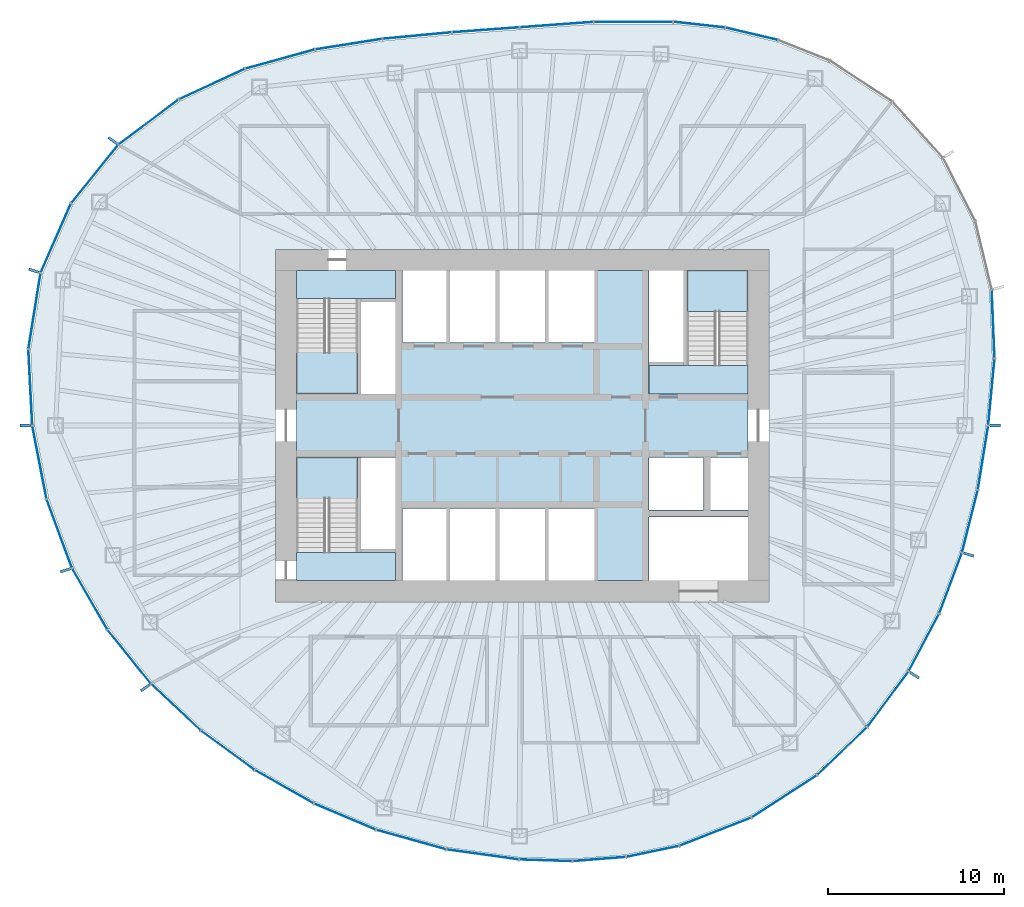
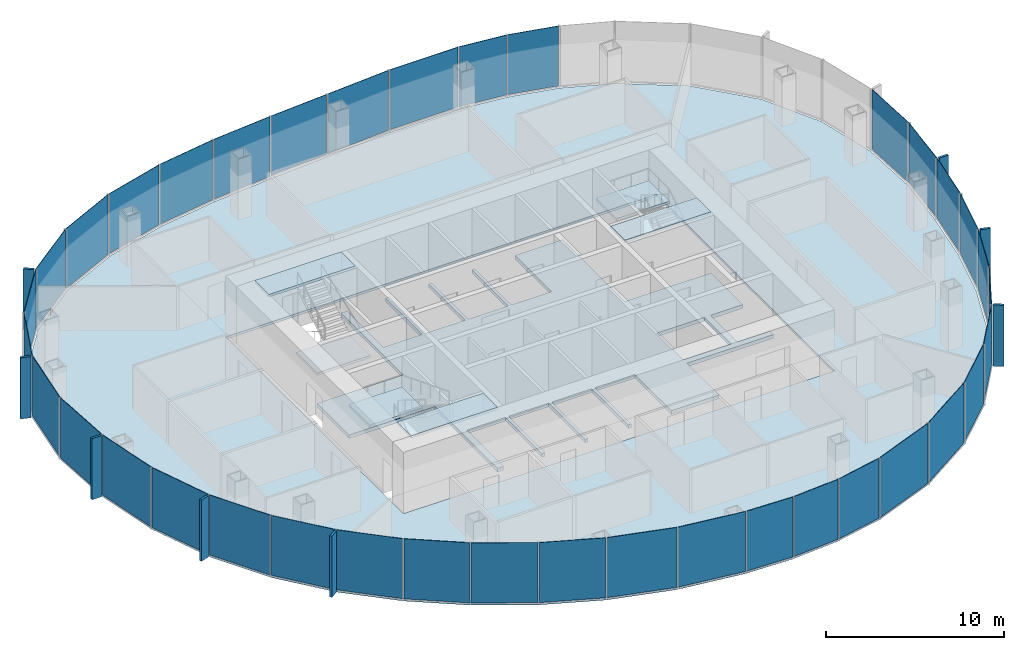
# One storey, part 7 of 11: 45 plates, 8 slabs, 21 elements without a shape of their own.
"""IFC4 building model written with IfcOpenShell, lengths in metres."""

from ifc_helpers import new_model, si_unit, direction, frame, origin, origin_2d, place, context, subcontext, project, spatial, polyline, rectangle, outline, extrude, material, layer, layer_set, type_object, element, aggregate, save


model = new_model("IFC4")

# Units and contexts
model_context = context("Model", 3, precision=1e-05, world=origin(), true_north=direction((0.0, 1.0)))
body_context = subcontext(model_context, "Body", "Model", "MODEL_VIEW")
ifc_project = project(units=[si_unit("LENGTHUNIT", "METRE"), si_unit("AREAUNIT", "SQUARE_METRE"), si_unit("VOLUMEUNIT", "CUBIC_METRE"), si_unit("PLANEANGLEUNIT", "RADIAN"), si_unit("MASSUNIT", "GRAM", prefix="KILO")], contexts=[model_context])

# Site, building, storey
site_placement = place(None, origin())
site = spatial("IfcSite", under=ifc_project, at=site_placement, CompositionType="ELEMENT")
building_placement = place(site_placement, origin())
building = spatial("IfcBuilding", under=site, at=building_placement, Name="Ghaith Harvest Tower", CompositionType="ELEMENT")
storey_placement = place(building_placement, frame((0.0, 0.0, 262.0)))
storey = spatial("IfcBuildingStorey", under=building, at=storey_placement, Name="L58", CompositionType="ELEMENT", Elevation=262.0)

# Curtain wall, plates
ifc_material_1 = material(Name="Black anodised aluminium and fritted glass", Category="aluminium")
curtain_wall_type = type_object("IfcCurtainWallType", Name="CW-H CURTAIN WALL", PredefinedType="NOTDEFINED", material=ifc_material_1)
curtain_wall_1_placement = place(storey_placement, origin())
curtain_wall_1 = element("IfcCurtainWall", 1, at=curtain_wall_1_placement, inside=storey, type_object=curtain_wall_type, Name="Curtain wall CW-H bay 01 L58", PredefinedType="NOTDEFINED")
ifc_material_2 = material(Name="Glass, dark solar-control fritted double glazed unit", Category="glass")
ifc_layer_1 = layer(ifc_material_2, 0.030029296875)
ifc_layer_set_1 = layer_set([ifc_layer_1], Name="CW-H VISION PANEL")
plate_type_1 = type_object("IfcPlateType", Name="CW-H VISION PANEL", PredefinedType="CURTAIN_PANEL", material=ifc_layer_set_1)
plate_1_placement = place(storey_placement, frame((26.624755859375, 1.89794921875, 0.079833984375), z_axis=(0.0, 0.0, 1.0), x_axis=(0.094301909937, 0.995543645343, 0.0)))
plate_1 = element("IfcPlate", 2, at=plate_1_placement, type_object=plate_type_1, Name="CW-H glass unit 1 bay 01 L58", PredefinedType="CURTAIN_PANEL", context=body_context, shape_type="SweptSolid", body=[
    extrude(rectangle(XDim=3.73291015625, YDim=0.030029296875, at=origin_2d()), origin(), (0.0, 0.0, 1.0), 4.1201171875),
])
plate_2_placement = place(storey_placement, frame((26.7255859375, 5.74853515625, 0.079833984375), z_axis=(0.0, 0.0, 1.0), x_axis=(-0.040462173218, 0.999181070947, 0.0)))
plate_2 = element("IfcPlate", 3, at=plate_2_placement, type_object=plate_type_1, Name="CW-H glass unit 2 bay 01 L58", PredefinedType="CURTAIN_PANEL", context=body_context, shape_type="SweptSolid", body=[
    extrude(rectangle(XDim=3.82861328125, YDim=0.030029296875, at=origin_2d()), origin(), (0.0, 0.0, 1.0), 4.1201171875),
])
aggregate(curtain_wall_1, [plate_1, plate_2])

curtain_wall_2_placement = place(storey_placement, origin())
curtain_wall_2 = element("IfcCurtainWall", 4, at=curtain_wall_2_placement, inside=storey, type_object=curtain_wall_type, Name="Curtain wall CW-H bay 04 L58", PredefinedType="NOTDEFINED")
plate_3_placement = place(storey_placement, frame((13.027099609375, 22.225341796875, 0.079833984375), z_axis=(0.0, 0.0, 1.0), x_axis=(-0.973266235028, 0.229679854916, 0.0)))
plate_3 = element("IfcPlate", 5, at=plate_3_placement, type_object=plate_type_1, Name="CW-H glass unit 2 bay 04 L58", PredefinedType="CURTAIN_PANEL", context=body_context, shape_type="SweptSolid", body=[
    extrude(rectangle(XDim=3.00244140625, YDim=0.030029296875, at=origin_2d()), origin(), (0.0, 0.0, 1.0), 4.1201171875),
])
plate_4_placement = place(storey_placement, frame((10.045654296875, 22.744384765625, 0.079833984375), z_axis=(0.0, 0.0, 1.0), x_axis=(-0.993865217442, 0.11059805405, 0.0)))
plate_4 = element("IfcPlate", 6, at=plate_4_placement, type_object=plate_type_1, Name="CW-H glass unit 3 bay 04 L58", PredefinedType="CURTAIN_PANEL", context=body_context, shape_type="SweptSolid", body=[
    extrude(rectangle(XDim=2.901123046875, YDim=0.030029296875, at=origin_2d()), origin(), (0.0, 0.0, 1.0), 4.1201171875),
])
aggregate(curtain_wall_2, [plate_3, plate_4])

curtain_wall_3_placement = place(storey_placement, origin())
curtain_wall_3 = element("IfcCurtainWall", 7, at=curtain_wall_3_placement, inside=storey, type_object=curtain_wall_type, Name="Curtain wall CW-H bay 05 L58", PredefinedType="NOTDEFINED")
plate_5_placement = place(storey_placement, frame((6.31201171875, 22.904296875, 0.079833984375), z_axis=(0.0, 0.0, 1.0), x_axis=(-0.999997643645, -0.002170876291, 0.0)))
plate_5 = element("IfcPlate", 8, at=plate_5_placement, type_object=plate_type_1, Name="CW-H glass unit 1 bay 05 L58", PredefinedType="CURTAIN_PANEL", context=body_context, shape_type="SweptSolid", body=[
    extrude(rectangle(XDim=4.4248046875, YDim=0.030029296875, at=origin_2d()), origin(), (0.0, 0.0, 1.0), 4.1201171875),
])
plate_6_placement = place(storey_placement, frame((1.952392578125, 22.744873046875, 0.079833984375), z_axis=(0.0, 0.0, 1.0), x_axis=(-0.997324570719, -0.073100619976, 0.0)))
plate_6 = element("IfcPlate", 9, at=plate_6_placement, type_object=plate_type_1, Name="CW-H glass unit 2 bay 05 L58", PredefinedType="CURTAIN_PANEL", context=body_context, shape_type="SweptSolid", body=[
    extrude(rectangle(XDim=4.1455078125, YDim=0.030029296875, at=origin_2d()), origin(), (0.0, 0.0, 1.0), 4.1201171875),
])
aggregate(curtain_wall_3, [plate_5, plate_6])

curtain_wall_4_placement = place(storey_placement, origin())
curtain_wall_4 = element("IfcCurtainWall", 10, at=curtain_wall_4_placement, inside=storey, type_object=curtain_wall_type, Name="Curtain wall CW-H bay 06 L58", PredefinedType="NOTDEFINED")
plate_7_placement = place(storey_placement, frame((-2.0693359375, 22.450439453125, 0.079833984375), z_axis=(0.0, 0.0, 1.0), x_axis=(-0.997334393671, -0.072966479985, 0.0)))
plate_7 = element("IfcPlate", 11, at=plate_7_placement, type_object=plate_type_1, Name="CW-H glass unit 1 bay 06 L58", PredefinedType="CURTAIN_PANEL", context=body_context, shape_type="SweptSolid", body=[
    extrude(rectangle(XDim=3.759765625, YDim=0.030029296875, at=origin_2d()), origin(), (0.0, 0.0, 1.0), 4.1201171875),
])
plate_8_placement = place(storey_placement, frame((-5.954345703125, 22.12548828125, 0.079833984375), z_axis=(0.0, 0.0, 1.0), x_axis=(-0.995631991968, -0.093364535934, 0.0)))
plate_8 = element("IfcPlate", 12, at=plate_8_placement, type_object=plate_type_1, Name="CW-H glass unit 2 bay 06 L58", PredefinedType="CURTAIN_PANEL", context=body_context, shape_type="SweptSolid", body=[
    extrude(rectangle(XDim=3.87744140625, YDim=0.030029296875, at=origin_2d()), origin(), (0.0, 0.0, 1.0), 4.1201171875),
])
aggregate(curtain_wall_4, [plate_7, plate_8])

curtain_wall_5_placement = place(storey_placement, origin())
curtain_wall_5 = element("IfcCurtainWall", 13, at=curtain_wall_5_placement, inside=storey, type_object=curtain_wall_type, Name="Curtain wall CW-H bay 07 L58", PredefinedType="NOTDEFINED")
plate_9_placement = place(storey_placement, frame((-9.83837890625, 21.638671875, 0.079833984375), z_axis=(0.0, 0.0, 1.0), x_axis=(-0.98777033338, -0.155915901993, 0.0)))
plate_9 = element("IfcPlate", 14, at=plate_9_placement, type_object=plate_type_1, Name="CW-H glass unit 1 bay 07 L58", PredefinedType="CURTAIN_PANEL", context=body_context, shape_type="SweptSolid", body=[
    extrude(rectangle(XDim=3.795166015625, YDim=0.030029296875, at=origin_2d()), origin(), (0.0, 0.0, 1.0), 4.1201171875),
])
plate_10_placement = place(storey_placement, frame((-13.736572265625, 20.78955078125, 0.079833984375), z_axis=(0.0, 0.0, 1.0), x_axis=(-0.964034113875, -0.26577853052, 0.0)))
plate_10 = element("IfcPlate", 15, at=plate_10_placement, type_object=plate_type_1, Name="CW-H glass unit 2 bay 07 L58", PredefinedType="CURTAIN_PANEL", context=body_context, shape_type="SweptSolid", body=[
    extrude(rectangle(XDim=4.03662109375, YDim=0.030029296875, at=origin_2d()), origin(), (0.0, 0.0, 1.0), 4.1201171875),
])
aggregate(curtain_wall_5, [plate_9, plate_10])

curtain_wall_6_placement = place(storey_placement, origin())
curtain_wall_6 = element("IfcCurtainWall", 16, at=curtain_wall_6_placement, inside=storey, type_object=curtain_wall_type, Name="Curtain wall CW-H bay 08 L58", PredefinedType="NOTDEFINED")
plate_11_placement = place(storey_placement, frame((-17.608154296875, 19.370849609375, 0.079833984375), z_axis=(0.0, 0.0, 1.0), x_axis=(-0.907814470414, -0.419372015408, 0.0)))
plate_11 = element("IfcPlate", 17, at=plate_11_placement, type_object=plate_type_1, Name="CW-H glass unit 1 bay 08 L58", PredefinedType="CURTAIN_PANEL", context=body_context, shape_type="SweptSolid", body=[
    extrude(rectangle(XDim=4.077392578125, YDim=0.030029296875, at=origin_2d()), origin(), (0.0, 0.0, 1.0), 4.1201171875),
])
plate_12_placement = place(storey_placement, frame((-21.20166015625, 17.219482421875, 0.079833984375), z_axis=(0.0, 0.0, 1.0), x_axis=(-0.800067053187, -0.599910585341, 0.0)))
plate_12 = element("IfcPlate", 18, at=plate_12_placement, type_object=plate_type_1, Name="CW-H glass unit 2 bay 08 L58", PredefinedType="CURTAIN_PANEL", context=body_context, shape_type="SweptSolid", body=[
    extrude(rectangle(XDim=4.18603515625, YDim=0.030029296875, at=origin_2d()), origin(), (0.0, 0.0, 1.0), 4.1201171875),
])
aggregate(curtain_wall_6, [plate_11, plate_12])

curtain_wall_7_placement = place(storey_placement, origin())
curtain_wall_7 = element("IfcCurtainWall", 19, at=curtain_wall_7_placement, inside=storey, type_object=curtain_wall_type, Name="Curtain wall CW-H bay 09 L58", PredefinedType="NOTDEFINED")
plate_13_placement = place(storey_placement, frame((-24.25390625, 14.270263671875, 0.079833984375), z_axis=(0.0, 0.0, 1.0), x_axis=(-0.627547637499, -0.778578167347, 0.0)))
plate_13 = element("IfcPlate", 20, at=plate_13_placement, type_object=plate_type_1, Name="CW-H glass unit 1 bay 09 L58", PredefinedType="CURTAIN_PANEL", context=body_context, shape_type="SweptSolid", body=[
    extrude(rectangle(XDim=4.208740234375, YDim=0.030029296875, at=origin_2d()), origin(), (0.0, 0.0, 1.0), 4.1201171875),
])
plate_14_placement = place(storey_placement, frame((-26.462646484375, 10.63037109375, 0.079833984375), z_axis=(0.0, 0.0, 1.0), x_axis=(-0.40121291108, -0.915984825192, 0.0)))
plate_14 = element("IfcPlate", 21, at=plate_14_placement, type_object=plate_type_1, Name="CW-H glass unit 2 bay 09 L58", PredefinedType="CURTAIN_PANEL", context=body_context, shape_type="SweptSolid", body=[
    extrude(rectangle(XDim=4.22216796875, YDim=0.030029296875, at=origin_2d()), origin(), (0.0, 0.0, 1.0), 4.1201171875),
])
aggregate(curtain_wall_7, [plate_13, plate_14])

curtain_wall_8_placement = place(storey_placement, origin())
curtain_wall_8 = element("IfcCurtainWall", 22, at=curtain_wall_8_placement, inside=storey, type_object=curtain_wall_type, Name="Curtain wall CW-H bay 10 L58", PredefinedType="NOTDEFINED")
plate_15_placement = place(storey_placement, frame((-27.670654296875, 6.49658203125, 0.079833984375), z_axis=(0.0, 0.0, 1.0), x_axis=(-0.157514341695, -0.987516699687, 0.0)))
plate_15 = element("IfcPlate", 23, at=plate_15_placement, type_object=plate_type_1, Name="CW-H glass unit 1 bay 10 L58", PredefinedType="CURTAIN_PANEL", context=body_context, shape_type="SweptSolid", body=[
    extrude(rectangle(XDim=4.301513671875, YDim=0.030029296875, at=origin_2d()), origin(), (0.0, 0.0, 1.0), 4.1201171875),
])
plate_16_placement = place(storey_placement, frame((-27.905517578125, 2.16650390625, 0.079833984375), z_axis=(0.0, 0.0, 1.0), x_axis=(0.050894857592, -0.998704016949, 0.0)))
plate_16 = element("IfcPlate", 24, at=plate_16_placement, type_object=plate_type_1, Name="CW-H glass unit 2 bay 10 L58", PredefinedType="CURTAIN_PANEL", context=body_context, shape_type="SweptSolid", body=[
    extrude(rectangle(XDim=4.2587890625, YDim=0.030029296875, at=origin_2d()), origin(), (0.0, 0.0, 1.0), 4.1201171875),
])
aggregate(curtain_wall_8, [plate_15, plate_16])

curtain_wall_9_placement = place(storey_placement, origin())
curtain_wall_9 = element("IfcCurtainWall", 25, at=curtain_wall_9_placement, inside=storey, type_object=curtain_wall_type, Name="Curtain wall CW-H bay 11 L58", PredefinedType="NOTDEFINED")
plate_17_placement = place(storey_placement, frame((-27.39013671875, -2.0869140625, 0.079833984375), z_axis=(0.0, 0.0, 1.0), x_axis=(0.190426809322, -0.981701395686, 0.0)))
plate_17 = element("IfcPlate", 26, at=plate_17_placement, type_object=plate_type_1, Name="CW-H glass unit 1 bay 11 L58", PredefinedType="CURTAIN_PANEL", context=body_context, shape_type="SweptSolid", body=[
    extrude(rectangle(XDim=4.171630859375, YDim=0.030029296875, at=origin_2d()), origin(), (0.0, 0.0, 1.0), 4.1201171875),
])
plate_18_placement = place(storey_placement, frame((-26.261962890625, -6.1337890625, 0.079833984375), z_axis=(0.0, 0.0, 1.0), x_axis=(0.346303431688, -0.938122557666, 0.0)))
plate_18 = element("IfcPlate", 27, at=plate_18_placement, type_object=plate_type_1, Name="CW-H glass unit 2 bay 11 L58", PredefinedType="CURTAIN_PANEL", context=body_context, shape_type="SweptSolid", body=[
    extrude(rectangle(XDim=4.098388671875, YDim=0.030029296875, at=origin_2d()), origin(), (0.0, 0.0, 1.0), 4.1201171875),
])
aggregate(curtain_wall_9, [plate_17, plate_18])

curtain_wall_10_placement = place(storey_placement, origin())
curtain_wall_10 = element("IfcCurtainWall", 28, at=curtain_wall_10_placement, inside=storey, type_object=curtain_wall_type, Name="Curtain wall CW-H bay 12 L58", PredefinedType="NOTDEFINED")
plate_19_placement = place(storey_placement, frame((-24.535888671875, -9.838623046875, 0.079833984375), z_axis=(0.0, 0.0, 1.0), x_axis=(0.49818018945, -0.867073525625, 0.0)))
plate_19 = element("IfcPlate", 29, at=plate_19_placement, type_object=plate_type_1, Name="CW-H glass unit 1 bay 12 L58", PredefinedType="CURTAIN_PANEL", context=body_context, shape_type="SweptSolid", body=[
    extrude(rectangle(XDim=3.945068359375, YDim=0.030029296875, at=origin_2d()), origin(), (0.0, 0.0, 1.0), 4.1201171875),
])
plate_20_placement = place(storey_placement, frame((-22.29736328125, -13.119140625, 0.079833984375), z_axis=(0.0, 0.0, 1.0), x_axis=(0.626957061695, -0.779053812513, 0.0)))
plate_20 = element("IfcPlate", 30, at=plate_20_placement, type_object=plate_type_1, Name="CW-H glass unit 2 bay 12 L58", PredefinedType="CURTAIN_PANEL", context=body_context, shape_type="SweptSolid", body=[
    extrude(rectangle(XDim=3.8623046875, YDim=0.030029296875, at=origin_2d()), origin(), (0.0, 0.0, 1.0), 4.1201171875),
])
aggregate(curtain_wall_10, [plate_19, plate_20])

curtain_wall_11_placement = place(storey_placement, origin())
curtain_wall_11 = element("IfcCurtainWall", 31, at=curtain_wall_11_placement, inside=storey, type_object=curtain_wall_type, Name="Curtain wall CW-H bay 13 L58", PredefinedType="NOTDEFINED")
plate_21_placement = place(storey_placement, frame((-19.649658203125, -15.98046875, 0.079833984375), z_axis=(0.0, 0.0, 1.0), x_axis=(0.729016864325, -0.684495735217, 0.0)))
plate_21 = element("IfcPlate", 32, at=plate_21_placement, type_object=plate_type_1, Name="CW-H glass unit 1 bay 13 L58", PredefinedType="CURTAIN_PANEL", context=body_context, shape_type="SweptSolid", body=[
    extrude(rectangle(XDim=3.793212890625, YDim=0.030029296875, at=origin_2d()), origin(), (0.0, 0.0, 1.0), 4.1201171875),
])
plate_22_placement = place(storey_placement, frame((-16.707763671875, -18.42431640625, 0.079833984375), z_axis=(0.0, 0.0, 1.0), x_axis=(0.80736351134, -0.590054370848, 0.0)))
plate_22 = element("IfcPlate", 33, at=plate_22_placement, type_object=plate_type_1, Name="CW-H glass unit 2 bay 13 L58", PredefinedType="CURTAIN_PANEL", context=body_context, shape_type="SweptSolid", body=[
    extrude(rectangle(XDim=3.710693359375, YDim=0.030029296875, at=origin_2d()), origin(), (0.0, 0.0, 1.0), 4.1201171875),
])
aggregate(curtain_wall_11, [plate_21, plate_22])

curtain_wall_12_placement = place(storey_placement, origin())
curtain_wall_12 = element("IfcCurtainWall", 34, at=curtain_wall_12_placement, inside=storey, type_object=curtain_wall_type, Name="Curtain wall CW-H bay 14 L58", PredefinedType="NOTDEFINED")
plate_23_placement = place(storey_placement, frame((-13.496337890625, -20.496826171875, 0.079833984375), z_axis=(0.0, 0.0, 1.0), x_axis=(0.869715300233, -0.493553742303, 0.0)))
plate_23 = element("IfcPlate", 35, at=plate_23_placement, type_object=plate_type_1, Name="CW-H glass unit 1 bay 14 L58", PredefinedType="CURTAIN_PANEL", context=body_context, shape_type="SweptSolid", body=[
    extrude(rectangle(XDim=3.785888671875, YDim=0.030029296875, at=origin_2d()), origin(), (0.0, 0.0, 1.0), 4.1201171875),
])
plate_24_placement = place(storey_placement, frame((-10.050537109375, -22.1962890625, 0.079833984375), z_axis=(0.0, 0.0, 1.0), x_axis=(0.921181516072, -0.389133157734, 0.0)))
plate_24 = element("IfcPlate", 36, at=plate_24_placement, type_object=plate_type_1, Name="CW-H glass unit 2 bay 14 L58", PredefinedType="CURTAIN_PANEL", context=body_context, shape_type="SweptSolid", body=[
    extrude(rectangle(XDim=3.751220703125, YDim=0.030029296875, at=origin_2d()), origin(), (0.0, 0.0, 1.0), 4.1201171875),
])
aggregate(curtain_wall_12, [plate_23, plate_24])

curtain_wall_13_placement = place(storey_placement, origin())
curtain_wall_13 = element("IfcCurtainWall", 37, at=curtain_wall_13_placement, inside=storey, type_object=curtain_wall_type, Name="Curtain wall CW-H bay 15 L58", PredefinedType="NOTDEFINED")
plate_25_placement = place(storey_placement, frame((-6.291015625, -23.49853515625, 0.079833984375), z_axis=(0.0, 0.0, 1.0), x_axis=(0.963162861349, -0.268918765647, 0.0)))
plate_25 = element("IfcPlate", 38, at=plate_25_placement, type_object=plate_type_1, Name="CW-H glass unit 1 bay 15 L58", PredefinedType="CURTAIN_PANEL", context=body_context, shape_type="SweptSolid", body=[
    extrude(rectangle(XDim=4.062744140625, YDim=0.030029296875, at=origin_2d()), origin(), (0.0, 0.0, 1.0), 4.1201171875),
])
plate_26_placement = place(storey_placement, frame((-2.232177734375, -24.34033203125, 0.079833984375), z_axis=(0.0, 0.0, 1.0), x_axis=(0.990612268407, -0.136701622823, 0.0)))
plate_26 = element("IfcPlate", 39, at=plate_26_placement, type_object=plate_type_1, Name="CW-H glass unit 2 bay 15 L58", PredefinedType="CURTAIN_PANEL", context=body_context, shape_type="SweptSolid", body=[
    extrude(rectangle(XDim=4.08642578125, YDim=0.030029296875, at=origin_2d()), origin(), (0.0, 0.0, 1.0), 4.1201171875),
])
aggregate(curtain_wall_13, [plate_25, plate_26])

curtain_wall_14_placement = place(storey_placement, origin())
curtain_wall_14 = element("IfcCurtainWall", 40, at=curtain_wall_14_placement, inside=storey, type_object=curtain_wall_type, Name="Curtain wall CW-H bay 16 L58", PredefinedType="NOTDEFINED")
plate_27_placement = place(storey_placement, frame((1.339599609375, -24.67333984375, 0.079833984375), z_axis=(0.0, 0.0, 1.0), x_axis=(0.99949125523, -0.031894054587, 0.0)))
plate_27 = element("IfcPlate", 41, at=plate_27_placement, type_object=plate_type_1, Name="CW-H glass unit 1 bay 16 L58", PredefinedType="CURTAIN_PANEL", context=body_context, shape_type="SweptSolid", body=[
    extrude(rectangle(XDim=2.937744140625, YDim=0.030029296875, at=origin_2d()), origin(), (0.0, 0.0, 1.0), 4.1201171875),
])
plate_28_placement = place(storey_placement, frame((4.37060546875, -24.60205078125, 0.079833984375), z_axis=(0.0, 0.0, 1.0), x_axis=(0.996945418782, 0.078101421048, 0.0)))
plate_28 = element("IfcPlate", 42, at=plate_28_placement, type_object=plate_type_1, Name="CW-H glass unit 2 bay 16 L58", PredefinedType="CURTAIN_PANEL", context=body_context, shape_type="SweptSolid", body=[
    extrude(rectangle(XDim=2.974853515625, YDim=0.030029296875, at=origin_2d()), origin(), (0.0, 0.0, 1.0), 4.1201171875),
])
plate_29_placement = place(storey_placement, frame((7.40478515625, -24.16650390625, 0.079833984375), z_axis=(0.0, 0.0, 1.0), x_axis=(0.978788872874, 0.204871526422, 0.0)))
plate_29 = element("IfcPlate", 43, at=plate_29_placement, type_object=plate_type_1, Name="CW-H glass unit 3 bay 16 L58", PredefinedType="CURTAIN_PANEL", context=body_context, shape_type="SweptSolid", body=[
    extrude(rectangle(XDim=3.00830078125, YDim=0.030029296875, at=origin_2d()), origin(), (0.0, 0.0, 1.0), 4.1201171875),
])
aggregate(curtain_wall_14, [plate_27, plate_28, plate_29])

curtain_wall_15_placement = place(storey_placement, origin())
curtain_wall_15 = element("IfcCurtainWall", 44, at=curtain_wall_15_placement, inside=storey, type_object=curtain_wall_type, Name="Curtain wall CW-H bay 17 L58", PredefinedType="NOTDEFINED")
plate_30_placement = place(storey_placement, frame((10.963134765625, -23.048583984375, 0.079833984375), z_axis=(0.0, 0.0, 1.0), x_axis=(0.931161161765, 0.364607858966, 0.0)))
plate_30 = element("IfcPlate", 45, at=plate_30_placement, type_object=plate_type_1, Name="CW-H glass unit 1 bay 17 L58", PredefinedType="CURTAIN_PANEL", context=body_context, shape_type="SweptSolid", body=[
    extrude(rectangle(XDim=4.316650390625, YDim=0.030029296875, at=origin_2d()), origin(), (0.0, 0.0, 1.0), 4.1201171875),
])
plate_31_placement = place(storey_placement, frame((14.869384765625, -21.042724609375, 0.079833984375), z_axis=(0.0, 0.0, 1.0), x_axis=(0.839305300126, 0.543660384045, 0.0)))
plate_31 = element("IfcPlate", 46, at=plate_31_placement, type_object=plate_type_1, Name="CW-H glass unit 2 bay 17 L58", PredefinedType="CURTAIN_PANEL", context=body_context, shape_type="SweptSolid", body=[
    extrude(rectangle(XDim=4.35107421875, YDim=0.030029296875, at=origin_2d()), origin(), (0.0, 0.0, 1.0), 4.1201171875),
])
aggregate(curtain_wall_15, [plate_30, plate_31])

curtain_wall_16_placement = place(storey_placement, origin())
curtain_wall_16 = element("IfcCurtainWall", 47, at=curtain_wall_16_placement, inside=storey, type_object=curtain_wall_type, Name="Curtain wall CW-H bay 18 L58", PredefinedType="NOTDEFINED")
plate_32_placement = place(storey_placement, frame((18.151611328125, -18.47705078125, 0.079833984375), z_axis=(0.0, 0.0, 1.0), x_axis=(0.722532585058, 0.691336866896, 0.0)))
plate_32 = element("IfcPlate", 48, at=plate_32_placement, type_object=plate_type_1, Name="CW-H glass unit 1 bay 18 L58", PredefinedType="CURTAIN_PANEL", context=body_context, shape_type="SweptSolid", body=[
    extrude(rectangle(XDim=3.85791015625, YDim=0.030029296875, at=origin_2d()), origin(), (0.0, 0.0, 1.0), 4.1201171875),
])
plate_33_placement = place(storey_placement, frame((20.74853515625, -15.53369140625, 0.079833984375), z_axis=(0.0, 0.0, 1.0), x_axis=(0.596018639888, 0.802970597784, 0.0)))
plate_33 = element("IfcPlate", 49, at=plate_33_placement, type_object=plate_type_1, Name="CW-H glass unit 2 bay 18 L58", PredefinedType="CURTAIN_PANEL", context=body_context, shape_type="SweptSolid", body=[
    extrude(rectangle(XDim=3.8603515625, YDim=0.030029296875, at=origin_2d()), origin(), (0.0, 0.0, 1.0), 4.1201171875),
])
aggregate(curtain_wall_16, [plate_32, plate_33])

curtain_wall_17_placement = place(storey_placement, origin())
curtain_wall_17 = element("IfcCurtainWall", 50, at=curtain_wall_17_placement, inside=storey, type_object=curtain_wall_type, Name="Curtain wall CW-H bay 19 L58", PredefinedType="NOTDEFINED")
plate_34_placement = place(storey_placement, frame((22.79052734375, -12.316162109375, 0.079833984375), z_axis=(0.0, 0.0, 1.0), x_axis=(0.46864379564, 0.883387226989, 0.0)))
plate_34 = element("IfcPlate", 51, at=plate_34_placement, type_object=plate_type_1, Name="CW-H glass unit 1 bay 19 L58", PredefinedType="CURTAIN_PANEL", context=body_context, shape_type="SweptSolid", body=[
    extrude(rectangle(XDim=3.623291015625, YDim=0.030029296875, at=origin_2d()), origin(), (0.0, 0.0, 1.0), 4.1201171875),
])
plate_35_placement = place(storey_placement, frame((24.30712890625, -8.946533203125, 0.079833984375), z_axis=(0.0, 0.0, 1.0), x_axis=(0.350480749824, 0.936569935457, 0.0)))
plate_35 = element("IfcPlate", 52, at=plate_35_placement, type_object=plate_type_1, Name="CW-H glass unit 2 bay 19 L58", PredefinedType="CURTAIN_PANEL", context=body_context, shape_type="SweptSolid", body=[
    extrude(rectangle(XDim=3.62255859375, YDim=0.030029296875, at=origin_2d()), origin(), (0.0, 0.0, 1.0), 4.1201171875),
])
aggregate(curtain_wall_17, [plate_34, plate_35])

curtain_wall_18_placement = place(storey_placement, origin())
curtain_wall_18 = element("IfcCurtainWall", 53, at=curtain_wall_18_placement, inside=storey, type_object=curtain_wall_type, Name="Curtain wall CW-H bay 20 L58", PredefinedType="NOTDEFINED")
plate_36_placement = place(storey_placement, frame((25.404541015625, -5.43701171875, 0.079833984375), z_axis=(0.0, 0.0, 1.0), x_axis=(0.244925945134, 0.969541789404, 0.0)))
plate_36 = element("IfcPlate", 54, at=plate_36_placement, type_object=plate_type_1, Name="CW-H glass unit 1 bay 20 L58", PredefinedType="CURTAIN_PANEL", context=body_context, shape_type="SweptSolid", body=[
    extrude(rectangle(XDim=3.583251953125, YDim=0.030029296875, at=origin_2d()), origin(), (0.0, 0.0, 1.0), 4.1201171875),
])
plate_37_placement = place(storey_placement, frame((26.14892578125, -1.83056640625, 0.079833984375), z_axis=(0.0, 0.0, 1.0), x_axis=(0.159600748097, 0.987181645497, 0.0)))
plate_37 = element("IfcPlate", 55, at=plate_37_placement, type_object=plate_type_1, Name="CW-H glass unit 2 bay 20 L58", PredefinedType="CURTAIN_PANEL", context=body_context, shape_type="SweptSolid", body=[
    extrude(rectangle(XDim=3.628662109375, YDim=0.030029296875, at=origin_2d()), origin(), (0.0, 0.0, 1.0), 4.1201171875),
])
aggregate(curtain_wall_18, [plate_36, plate_37])

# Slabs
ifc_material_3 = material(Name="Concrete C40/50", Category="concrete")
ifc_layer_2 = layer(ifc_material_3, 0.169921875)
ifc_layer_set_2 = layer_set([ifc_layer_2], Name="FLOOR SLAB 170")
slab_type_1 = type_object("IfcSlabType", Name="FLOOR SLAB 170", PredefinedType="FLOOR", material=ifc_layer_set_2)
slab_1_placement = place(storey_placement, frame((0.0, 0.0, -0.169921875)))
element("IfcSlab", 56, at=slab_1_placement, inside=storey, type_object=slab_type_1, Name="Floor slab L58", PredefinedType="FLOOR", context=body_context, shape_type="SweptSolid", body=[
    extrude(outline(polyline([(26.324951171875, 0.0), (26.685791015625, 3.779052734375), (26.531005859375, 7.668212890625), (25.597900390625, 11.55615234375), (23.77294921875, 15.12939453125), (20.923095703125, 18.295166015625), (17.382080078125, 20.612548828125), (14.460693359375, 21.771484375), (11.47265625, 22.47265625), (8.522216796875, 22.796875), (4.03857421875, 22.78125), (-0.15380859375, 22.470458984375), (-3.963134765625, 22.192138671875), (-7.8837890625, 21.827880859375), (-11.694580078125, 21.2314453125), (-15.6474609375, 20.147705078125), (-19.408203125, 18.41650390625), (-22.809814453125, 15.87109375), (-25.491943359375, 12.547607421875), (-27.211181640625, 8.623779296875), (-27.897216796875, 4.314697265625), (-27.675048828125, 0.0), (-26.86669921875, -4.155517578125), (-25.424072265625, -8.057373046875), (-23.425537109375, -11.530517578125), (-20.963134765625, -14.586181640625), (-18.15087890625, -17.223388671875), (-15.10400390625, -19.447998046875), (-11.75732421875, -21.345703125), (-8.2451171875, -22.82861328125), (-4.27490234375, -23.9375), (-0.167724609375, -24.505126953125), (2.833984375, -24.602294921875), (5.865234375, -24.3662109375), (8.8740234375, -23.73779296875), (12.949462890625, -22.1435546875), (16.651611328125, -19.746337890625), (19.48388671875, -17.036865234375), (21.821533203125, -13.887451171875), (23.548828125, -10.631103515625), (24.840576171875, -7.179443359375), (25.734375, -3.644287109375), (26.324951171875, 0.0)]), holes=[polyline([(-14.0, -10.0), (14.0, -10.0), (14.0, 10.0), (-14.0, 10.0), (-14.0, -10.0)])]), origin(), (0.0, 0.0, 1.0), 0.169921875),
])
ifc_material_4 = material(Name="Concrete C40/50", Category="concrete")
ifc_layer_3 = layer(ifc_material_4, 0.25)
ifc_layer_set_3 = layer_set([ifc_layer_3], Name="FLOOR SLAB 250")
slab_type_2 = type_object("IfcSlabType", Name="FLOOR SLAB 250", PredefinedType="FLOOR", material=ifc_layer_set_3)
slab_2_placement = place(storey_placement, frame((0.0, 0.0, -0.25)))
element("IfcSlab", 57, at=slab_2_placement, inside=storey, type_object=slab_type_2, Name="Core slab L58", PredefinedType="FLOOR", context=body_context, shape_type="SweptSolid", body=[
    extrude(outline(polyline([(-12.800048828125, 1.800048828125), (-7.199951171875, 1.800048828125), (-7.199951171875, 8.800048828125), (-6.800048828125, 8.800048828125), (-6.800048828125, 4.699951171875), (-4.300048828125, 4.699951171875), (-4.300048828125, 8.800048828125), (-4.10009765625, 8.800048828125), (-4.10009765625, 4.699951171875), (-1.5, 4.699951171875), (-1.5, 8.800048828125), (-1.300048828125, 8.800048828125), (-1.300048828125, 4.699951171875), (1.300048828125, 4.699951171875), (1.300048828125, 8.800048828125), (1.5, 8.800048828125), (1.5, 4.699951171875), (4.10009765625, 4.699951171875), (4.10009765625, 8.800048828125), (7.199951171875, 8.800048828125), (7.199951171875, 1.800048828125), (12.800048828125, 1.800048828125), (12.800048828125, -1.800048828125), (10.699951171875, -1.800048828125), (10.699951171875, -4.800048828125), (12.800048828125, -4.800048828125), (12.800048828125, -5.199951171875), (7.199951171875, -5.199951171875), (7.199951171875, -8.800048828125), (4.10009765625, -8.800048828125), (4.10009765625, -4.699951171875), (1.5, -4.699951171875), (1.5, -8.800048828125), (1.300048828125, -8.800048828125), (1.300048828125, -4.699951171875), (-1.300048828125, -4.699951171875), (-1.300048828125, -8.800048828125), (-1.5, -8.800048828125), (-1.5, -4.699951171875), (-4.10009765625, -4.699951171875), (-4.10009765625, -8.800048828125), (-4.300048828125, -8.800048828125), (-4.300048828125, -4.699951171875), (-6.800048828125, -4.699951171875), (-6.800048828125, -8.800048828125), (-7.199951171875, -8.800048828125), (-7.199951171875, -1.800048828125), (-12.800048828125, -1.800048828125), (-12.800048828125, 1.800048828125)]), holes=[polyline([(10.300048828125, -4.800048828125), (10.300048828125, -1.800048828125), (7.199951171875, -1.800048828125), (7.199951171875, -4.800048828125), (10.300048828125, -4.800048828125)])]), origin(), (0.0, 0.0, 1.0), 0.25),
])

# Stair, slabs
ifc_material_5 = material(Name="Concrete C40/50, precast", Category="concrete")
stair_type = type_object("IfcStairType", Name="CORE STAIR 24R", PredefinedType="HALF_TURN_STAIR", material=ifc_material_5)
stair_1_placement = place(storey_placement, origin())
stair_1 = element("IfcStair", 58, at=stair_1_placement, inside=storey, type_object=stair_type, Name="Stair ST1 L58", PredefinedType="HALF_TURN_STAIR")
ifc_material_6 = material(Name="Concrete C40/50, precast", Category="concrete")
ifc_layer_4 = layer(ifc_material_6, 0.179931640625)
ifc_layer_set_4 = layer_set([ifc_layer_4], Name="STAIR LANDING 180")
slab_type_3 = type_object("IfcSlabType", Name="STAIR LANDING 180", PredefinedType="LANDING", material=ifc_layer_set_4)
slab_3_placement = place(storey_placement, frame((0.0, 0.0, 1.919921875)))
slab_3 = element("IfcSlab", 59, at=slab_3_placement, type_object=slab_type_3, Name="ST1 landing 1", PredefinedType="LANDING", context=body_context, shape_type="SweptSolid", body=[
    extrude(outline(polyline([(-12.800048828125, 4.139892578125), (-12.800048828125, 1.77490234375), (-9.35009765625, 1.77490234375), (-9.35009765625, 4.139892578125), (-12.800048828125, 4.139892578125)])), origin(), (0.0, 0.0, 1.0), 0.18017578125),
])
slab_4_placement = place(storey_placement, frame((0.0, 0.0, 4.02001953125)))
slab_4 = element("IfcSlab", 60, at=slab_4_placement, type_object=slab_type_3, Name="ST1 landing 2", PredefinedType="LANDING", context=body_context, shape_type="SweptSolid", body=[
    extrude(outline(polyline([(-12.800048828125, 8.800048828125), (-12.800048828125, 7.199951171875), (-7.199951171875, 7.199951171875), (-7.199951171875, 8.800048828125), (-12.800048828125, 8.800048828125)])), origin(), (0.0, 0.0, 1.0), 0.179931640625),
])
aggregate(stair_1, [slab_3, slab_4])

stair_2_placement = place(storey_placement, origin())
stair_2 = element("IfcStair", 61, at=stair_2_placement, inside=storey, type_object=stair_type, Name="Stair ST3 L58", PredefinedType="HALF_TURN_STAIR")
slab_5_placement = place(storey_placement, frame((0.0, 0.0, 1.919921875)))
slab_5 = element("IfcSlab", 62, at=slab_5_placement, type_object=slab_type_3, Name="ST3 landing 1", PredefinedType="LANDING", context=body_context, shape_type="SweptSolid", body=[
    extrude(outline(polyline([(-12.800048828125, -4.139892578125), (-12.800048828125, -1.77490234375), (-9.35009765625, -1.77490234375), (-9.35009765625, -4.139892578125), (-12.800048828125, -4.139892578125)])), origin(), (0.0, 0.0, 1.0), 0.18017578125),
])
slab_6_placement = place(storey_placement, frame((0.0, 0.0, 4.02001953125)))
slab_6 = element("IfcSlab", 63, at=slab_6_placement, type_object=slab_type_3, Name="ST3 landing 2", PredefinedType="LANDING", context=body_context, shape_type="SweptSolid", body=[
    extrude(outline(polyline([(-12.800048828125, -8.800048828125), (-12.800048828125, -7.199951171875), (-7.199951171875, -7.199951171875), (-7.199951171875, -8.800048828125), (-12.800048828125, -8.800048828125)])), origin(), (0.0, 0.0, 1.0), 0.179931640625),
])
aggregate(stair_2, [slab_5, slab_6])

stair_3_placement = place(storey_placement, origin())
stair_3 = element("IfcStair", 64, at=stair_3_placement, inside=storey, type_object=stair_type, Name="Stair ST2 L58", PredefinedType="HALF_TURN_STAIR")
slab_7_placement = place(storey_placement, frame((0.0, 0.0, 1.919921875)))
slab_7 = element("IfcSlab", 65, at=slab_7_placement, type_object=slab_type_3, Name="ST2 landing 1", PredefinedType="LANDING", context=body_context, shape_type="SweptSolid", body=[
    extrude(outline(polyline([(12.800048828125, 6.4599609375), (12.800048828125, 8.800048828125), (9.35009765625, 8.800048828125), (9.35009765625, 6.4599609375), (12.800048828125, 6.4599609375)])), origin(), (0.0, 0.0, 1.0), 0.18017578125),
])
slab_8_placement = place(storey_placement, frame((0.0, 0.0, 4.02001953125)))
slab_8 = element("IfcSlab", 66, at=slab_8_placement, type_object=slab_type_3, Name="ST2 landing 2", PredefinedType="LANDING", context=body_context, shape_type="SweptSolid", body=[
    extrude(outline(polyline([(12.800048828125, 1.800048828125), (12.800048828125, 3.39990234375), (7.199951171875, 3.39990234375), (7.199951171875, 1.800048828125), (12.800048828125, 1.800048828125)])), origin(), (0.0, 0.0, 1.0), 0.179931640625),
])
aggregate(stair_3, [slab_7, slab_8])

# Plates
ifc_material_7 = material(Name="Glassfibre-reinforced concrete", Category="concrete")
ifc_layer_5 = layer(ifc_material_7, 0.14990234375)
ifc_layer_set_5 = layer_set([ifc_layer_5], Name="SUN-BREAKER FIN 600x150")
plate_type_2 = type_object("IfcPlateType", Name="SUN-BREAKER FIN 600x150", PredefinedType="USERDEFINED", material=ifc_layer_set_5)
for number, where, z_axis, x_axis, name in (
    (67, (26.844970703125, 0.0, 0.0), (0.0, 0.0, 1.0), (1.0, 0.0, 0.0), "Sun-breaker fin CW-H 1 bay 01 L58"),
    (68, (-23.236572265625, 16.168212890625, 0.0), (0.0, 0.0, 1.0), (-0.820845486523, 0.571150319316, 0.0), "Sun-breaker fin CW-H 1 bay 09 L58"),
    (69, (-27.70703125, 8.78076171875, 0.0), (0.0, 0.0, 1.0), (-0.953273219358, 0.302109531884, 0.0), "Sun-breaker fin CW-H 1 bay 10 L58"),
    (70, (-28.195068359375, 0.0, 0.0), (0.0, 0.0, 1.0), (-1.0, -4.19e-10, 0.0), "Sun-breaker fin CW-H 1 bay 11 L58"),
    (71, (-25.919677734375, -8.21435546875, 0.0), (0.0, 0.0, 1.0), (-0.953273219416, -0.302109531701, 0.0), "Sun-breaker fin CW-H 1 bay 12 L58"),
    (72, (-21.389892578125, -14.88330078125, 0.0), (0.0, 0.0, 1.0), (-0.820845486622, -0.571150319173, 0.0), "Sun-breaker fin CW-H 1 bay 13 L58"),
    (73, (22.26025390625, -14.16650390625, 0.0), (0.0, 0.0, 1.0), (0.84364397137, -0.536903016913, 0.0), "Sun-breaker fin CW-H 1 bay 19 L58"),
    (74, (25.340087890625, -7.32373046875, 0.0), (0.0, 0.0, 1.0), (0.960680349932, -0.277656739976, 0.0), "Sun-breaker fin CW-H 1 bay 20 L58"),
):
    element("IfcPlate", number, at=place(storey_placement, frame(where, z_axis=z_axis, x_axis=x_axis)), inside=storey, type_object=plate_type_2, Name=name, ObjectType="SUN-BREAKER FIN", PredefinedType="USERDEFINED", context=body_context, shape_type="SweptSolid", body=[
        extrude(rectangle(XDim=0.60009765625, YDim=0.14990234375, at=origin_2d()), origin(), (0.0, 0.0, 1.0), 4.199951171875),
    ])

save(model, "model.ifc")
